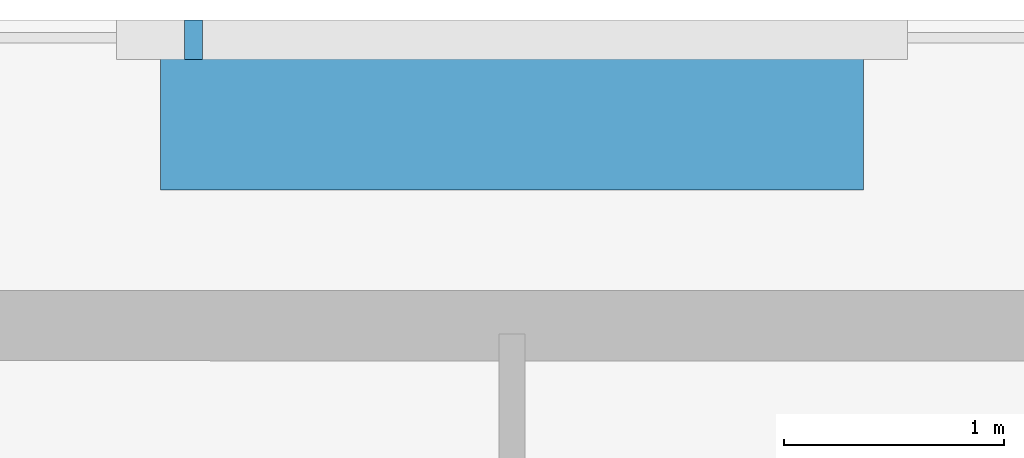
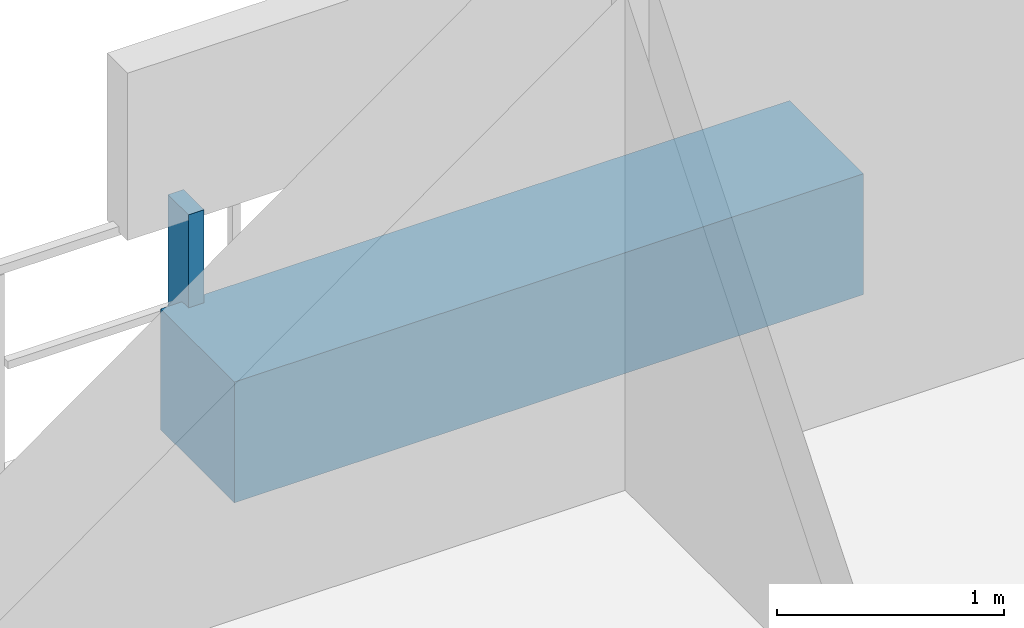
# One storey, part 28 of 32: 2 discrete accessories.
"""IFC4 building model written with IfcOpenShell, lengths in metres."""

import ifcopenshell
import ifcopenshell.guid

model = None  # the IFC model being written
_history = None  # IfcOwnerHistory: only IFC2X3 demands one
_inside = {}  # id of a spatial element -> (the spatial element, [elements in it])
_under = {}  # id of a project, library or spatial element -> (it, [spatial elements below it])
_declared = {}  # id of a project -> (the project, [libraries it declares])
_typed = {}  # id of a type object -> (the type object, [elements of that type])
_made_of = {}  # id of a material, layer set ... -> (it, [elements and type objects made of it])


def new_model(schema):
    """Start an empty IFC model of exactly this schema.

    Asked for "IFC4X3", IfcOpenShell would pick the latest addendum, in which some entities
    have other attributes; the version numbers below select the first issue.
    IFC2X3 requires an IfcOwnerHistory on every rooted entity: one is made here for all.
    """
    global model, _history
    if schema == "IFC4X3":
        model = ifcopenshell.file(schema_version=(4, 3, 0, 0))
    else:
        model = ifcopenshell.file(schema=schema)
    _inside.clear()
    _under.clear()
    _declared.clear()
    _typed.clear()
    _made_of.clear()
    _history = None
    if model.schema == "IFC2X3":
        org = make("IfcOrganization", Name="unknown")
        user = make(
            "IfcPersonAndOrganization",
            ThePerson=make("IfcPerson", FamilyName="unknown"),
            TheOrganization=org,
        )
        app = make(
            "IfcApplication",
            ApplicationDeveloper=org,
            Version="unknown",
            ApplicationFullName="unknown",
            ApplicationIdentifier="unknown",
        )
        _history = make(
            "IfcOwnerHistory",
            OwningUser=user,
            OwningApplication=app,
            ChangeAction="ADDED",
            CreationDate=0,
        )
    return model


def make(cls, **values):
    """One entity of the class cls with the attributes given. An attribute that is None is left unset."""
    return model.create_entity(
        cls, **{name: value for name, value in values.items() if value is not None}
    )


def rooted(cls, **values):
    """An entity with a GlobalId (a new one), such as an element, a storey or a relation."""
    return make(cls, GlobalId=ifcopenshell.guid.new(), OwnerHistory=_history, **values)


def si_unit(unit_type, name, prefix=None):
    """IfcSIUnit, for example si_unit("LENGTHUNIT", "METRE", prefix="MILLI")."""
    return make("IfcSIUnit", UnitType=unit_type, Prefix=prefix, Name=name)


def assignment(units):
    """IfcUnitAssignment: the units of a project."""
    return None if units is None else make("IfcUnitAssignment", Units=units)


def point(xyz):
    """IfcCartesianPoint."""
    return None if xyz is None else make("IfcCartesianPoint", Coordinates=xyz)


def direction(xyz):
    """IfcDirection."""
    return None if xyz is None else make("IfcDirection", DirectionRatios=xyz)


def frame(location, z_axis=None, x_axis=None):
    """IfcAxis2Placement3D, a coordinate frame: its origin and axes. An axis left out is left unset."""
    return make(
        "IfcAxis2Placement3D",
        Location=point(location),
        Axis=direction(z_axis),
        RefDirection=direction(x_axis),
    )


def frame_2d(location, x_axis=None):
    """IfcAxis2Placement2D, a coordinate frame in the plane: its origin and x axis."""
    return make(
        "IfcAxis2Placement2D", Location=point(location), RefDirection=direction(x_axis)
    )


def origin():
    """The frame at (0, 0, 0) with its axes left unset."""
    return frame((0.0, 0.0, 0.0))


def origin_2d():
    """The frame at (0, 0) in the plane with its x axis left unset."""
    return frame_2d((0.0, 0.0))


def place(relative_to, where):
    """IfcLocalPlacement: puts the frame where relative to a parent placement (None: the world)."""
    return make(
        "IfcLocalPlacement", PlacementRelTo=relative_to, RelativePlacement=where
    )


def context(
    kind, dimensions, precision=None, world=None, true_north=None, identifier=None
):
    """IfcGeometricRepresentationContext, for example the 3D "Model" context."""
    return make(
        "IfcGeometricRepresentationContext",
        ContextIdentifier=identifier,
        ContextType=kind,
        CoordinateSpaceDimension=dimensions,
        Precision=precision,
        WorldCoordinateSystem=world,
        TrueNorth=true_north,
    )


def subcontext(parent, identifier, kind, view, scale=None):
    """IfcGeometricRepresentationSubContext, for example "Body" below "Model"."""
    return make(
        "IfcGeometricRepresentationSubContext",
        ContextIdentifier=identifier,
        ContextType=kind,
        ParentContext=parent,
        TargetScale=scale,
        TargetView=view,
    )


def project(units=None, contexts=None):
    """IfcProject with its units and contexts."""
    return rooted(
        "IfcProject",
        Name="project",
        RepresentationContexts=contexts,
        UnitsInContext=assignment(units),
    )


def spatial(cls, under=None, at=None, **own):
    """A site, building, storey or space (cls), placed at a placement, below another one or the project."""
    s = rooted(cls, ObjectPlacement=at, **own)
    if under is not None:
        _under.setdefault(under.id(), (under, []))[1].append(s)
    return s


def profile(cls, at=None, kind="AREA", **sizes):
    """A parametric profile (cls). Its sizes go by their IFC names, for example OverallWidth=200.0."""
    return make(cls, ProfileType=kind, Position=at, **sizes)


def rectangle(**sizes):
    """IfcRectangleProfileDef."""
    return profile("IfcRectangleProfileDef", **sizes)


def extrude(swept, where, along, depth):
    """IfcExtrudedAreaSolid: the profile swept, set in the frame where, extruded along a direction by depth."""
    return make(
        "IfcExtrudedAreaSolid",
        SweptArea=swept,
        Position=where,
        ExtrudedDirection=direction(along),
        Depth=depth,
    )


def shape(context_of_items, identifier, shape_type, items):
    """IfcShapeRepresentation: the items that make up one representation, for example the "Body"."""
    return make(
        "IfcShapeRepresentation",
        ContextOfItems=context_of_items,
        RepresentationIdentifier=identifier,
        RepresentationType=shape_type,
        Items=items,
    )


def material(Name=None, Category=None):
    """IfcMaterial."""
    return make("IfcMaterial", Name=Name, Category=Category)


def made_of(thing, what):
    """Note that an element or type object is made of a material, layer set ...; save() writes the relation."""
    if what is not None:
        _made_of.setdefault(what.id(), (what, []))[1].append(thing)
    return thing


def type_object(cls, material=None, **own):
    """A type object (cls), such as IfcWallType, which elements share."""
    return made_of(rooted(cls, **own), material)


def element(
    cls,
    number,
    at=None,
    inside=None,
    cuts=None,
    type_object=None,
    material=None,
    context=None,
    identifier="Body",
    shape_type=None,
    held_by="IfcProductDefinitionShape",
    body=None,
    shapes=None,
    **own,
):
    """One element of the class cls, such as IfcWall. Its Tag is "e" and its number.

    at: its placement. inside: the storey or other place that contains it. cuts: it is an
    opening in that element (IfcRelVoidsElement). A single representation is given by context,
    identifier, shape_type and body (its items); several are given by shapes. held_by: the class
    of the entity that holds the representations. save() writes the other relations.
    """
    e = rooted(cls, Tag="e%d" % number, ObjectPlacement=at, **own)
    if body is not None:
        shapes = [shape(context, identifier, shape_type, body)]
    if shapes is not None:
        e.Representation = make(held_by, Representations=shapes)
    if inside is not None:
        _inside.setdefault(inside.id(), (inside, []))[1].append(e)
    if cuts is not None:
        rooted(
            "IfcRelVoidsElement", RelatingBuildingElement=cuts, RelatedOpeningElement=e
        )
    if type_object is not None:
        _typed.setdefault(type_object.id(), (type_object, []))[1].append(e)
    return made_of(e, material)


def aggregate(whole, parts):
    """IfcRelAggregates: a whole, such as a stair, and the parts it consists of."""
    return rooted("IfcRelAggregates", RelatingObject=whole, RelatedObjects=parts)


def save(model, path):
    """Write the relations noted so far, then the file.

    IfcRelAggregates (storeys below a building ...), IfcRelContainedInSpatialStructure (elements
    in a storey), IfcRelDefinesByType, IfcRelAssociatesMaterial and IfcRelDeclares: one each for
    every whole, place, type object, material and project.
    """
    for whole, parts in _under.values():
        aggregate(whole, parts)
    for where, things in _inside.values():
        rooted(
            "IfcRelContainedInSpatialStructure",
            RelatedElements=things,
            RelatingStructure=where,
        )
    for kind, things in _typed.values():
        rooted("IfcRelDefinesByType", RelatedObjects=things, RelatingType=kind)
    for what, things in _made_of.values():
        rooted("IfcRelAssociatesMaterial", RelatedObjects=things, RelatingMaterial=what)
    for by, libraries in _declared.values():
        rooted("IfcRelDeclares", RelatingContext=by, RelatedDefinitions=libraries)
    model.write(path)


model = new_model("IFC4")

# Units and contexts
model_context = context("Model", 3, precision=1e-05, world=origin(), true_north=direction((0.0, 1.0)))
body_context = subcontext(model_context, "Body", "Model", "MODEL_VIEW")
ifc_project = project(units=[si_unit("LENGTHUNIT", "METRE"), si_unit("AREAUNIT", "SQUARE_METRE"), si_unit("VOLUMEUNIT", "CUBIC_METRE"), si_unit("PLANEANGLEUNIT", "RADIAN"), si_unit("MASSUNIT", "GRAM", prefix="KILO")], contexts=[model_context])

# Site, building, storey
site_placement = place(None, origin())
site = spatial("IfcSite", under=ifc_project, at=site_placement, CompositionType="ELEMENT")
building_placement = place(site_placement, origin())
building = spatial("IfcBuilding", under=site, at=building_placement, Name="Thornwick Lancets Civic Towers", CompositionType="ELEMENT")
storey_placement = place(building_placement, frame((0.0, 0.0, 182.10009765625)))
storey = spatial("IfcBuildingStorey", under=building, at=storey_placement, Name="L48", CompositionType="ELEMENT", Elevation=182.10009765625)

# Discrete accessories
ifc_material_1 = material(Name="Planted terracotta greenery planter", Category="masonry")
discrete_accessory_type_1 = type_object("IfcDiscreteAccessoryType", Name="ACC_PLANTER_BOX", PredefinedType="USERDEFINED", material=ifc_material_1)
discrete_accessory_1_placement = place(storey_placement, frame((88.5, 51.699951171875, 0.0), z_axis=(0.0, 0.0, 1.0), x_axis=(1.0, 0.0, 0.0)))
element("IfcDiscreteAccessory", 1, at=discrete_accessory_1_placement, inside=storey, type_object=discrete_accessory_type_1, Name="L48 Tower B Balcony Greenery Planter N", ObjectType="PLANTER", PredefinedType="USERDEFINED", context=body_context, shape_type="SweptSolid", body=[
    extrude(rectangle(XDim=3.199951171875, YDim=0.64990234375, at=origin_2d()), origin(), (0.0, 0.0, 1.0), 0.64990234375),
])
ifc_material_2 = material(Name="Stainless steel S355", Category="steel")
discrete_accessory_type_2 = type_object("IfcDiscreteAccessoryType", Name="ACC_SCREEN_BRACKET", PredefinedType="BRACKET", material=ifc_material_2)
discrete_accessory_2_placement = place(storey_placement, frame((87.050048828125, 52.06005859375, 0.0), z_axis=(0.0, 0.0, 1.0), x_axis=(1.0, 0.0, 0.0)))
element("IfcDiscreteAccessory", 2, at=discrete_accessory_2_placement, inside=storey, type_object=discrete_accessory_type_2, Name="L48 Tower B Balcony Screen Stanchion Bracket N-1", PredefinedType="BRACKET", context=body_context, shape_type="SweptSolid", body=[
    extrude(rectangle(XDim=0.080078125, YDim=0.179931640625, at=origin_2d()), origin(), (0.0, 0.0, 1.0), 1.14990234375),
])

save(model, "model.ifc")
